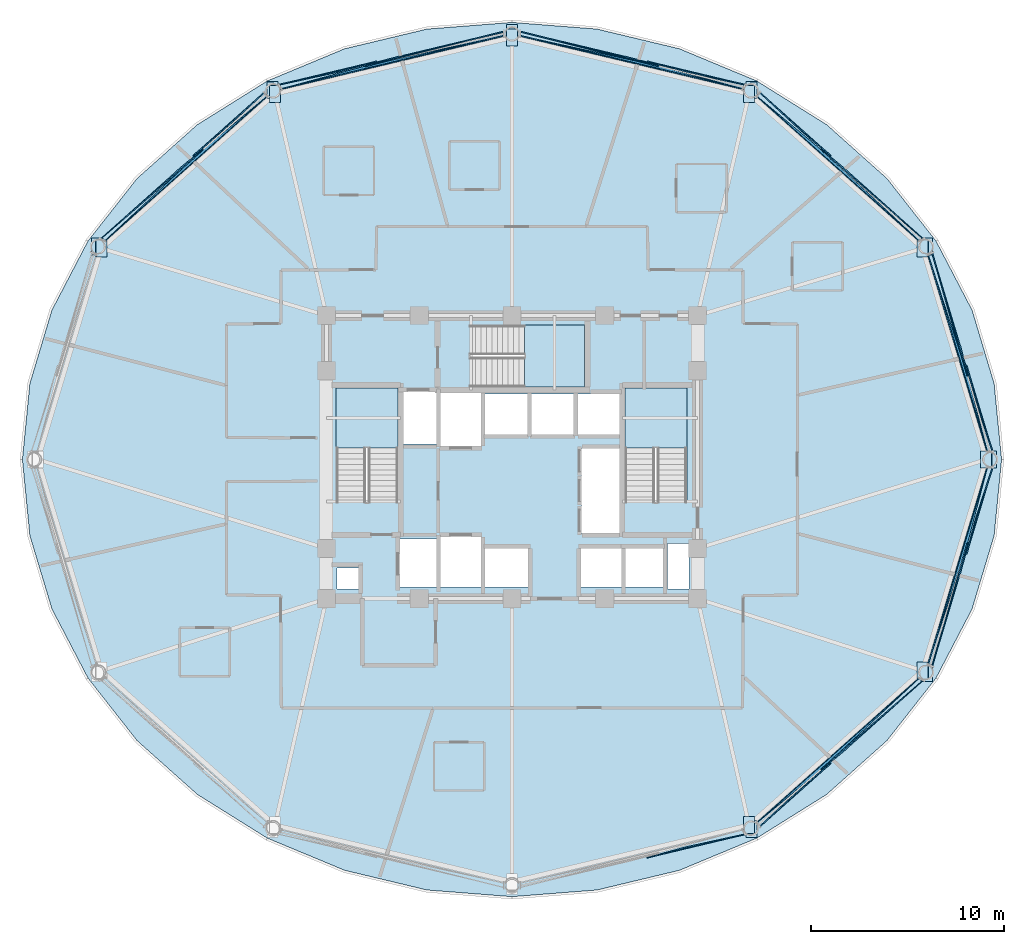
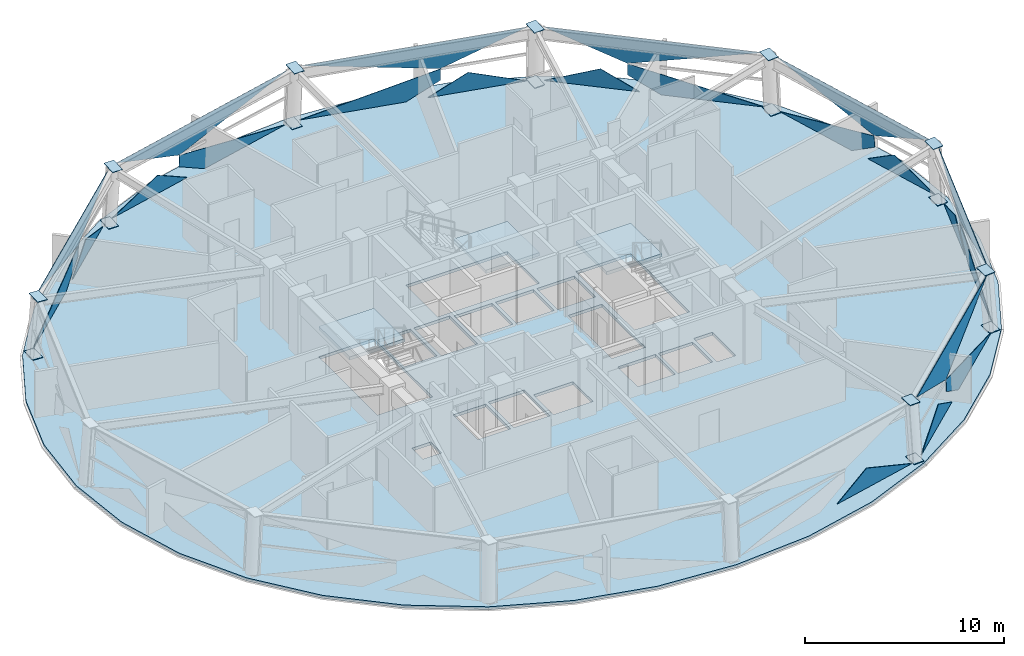
# One storey, part 4 of 12: 38 plates, 4 slabs, 11 elements without a shape of their own.
"""IFC4 building model written with IfcOpenShell, lengths in metres."""

from ifc_helpers import new_model, si_unit, direction, frame, origin, place, context, subcontext, project, spatial, polyline, outline, extrude, material, layer, layer_set, type_object, element, aggregate, save


model = new_model("IFC4")

# Units and contexts
model_context = context("Model", 3, precision=1e-05, world=origin(), true_north=direction((0.0, 1.0)))
body_context = subcontext(model_context, "Body", "Model", "MODEL_VIEW")
ifc_project = project(units=[si_unit("LENGTHUNIT", "METRE"), si_unit("AREAUNIT", "SQUARE_METRE"), si_unit("VOLUMEUNIT", "CUBIC_METRE"), si_unit("PLANEANGLEUNIT", "RADIAN"), si_unit("MASSUNIT", "GRAM", prefix="KILO")], contexts=[model_context])

# Site, building, storey
site_placement = place(None, origin())
site = spatial("IfcSite", under=ifc_project, at=site_placement, CompositionType="ELEMENT")
building_placement = place(site_placement, origin())
building = spatial("IfcBuilding", under=site, at=building_placement, Name="Vantalir Tower", CompositionType="ELEMENT")
storey_placement = place(building_placement, frame((0.0, 0.0, 160.949951171875)))
storey = spatial("IfcBuildingStorey", under=building, at=storey_placement, Name="L40", CompositionType="ELEMENT", Elevation=160.949951171875)

# Curtain wall, plates
ifc_material_1 = material(Name="Champagne-silver PVDF aluminium and double-silver Low-E glass", Category="aluminium")
ifc_layer_1 = layer(ifc_material_1, 0.199951171875)
ifc_layer_set_1 = layer_set([ifc_layer_1], Name="Champagne-silver PVDF aluminium and double-silver Low-E glass")
curtain_wall_type = type_object("IfcCurtainWallType", Name="CW-DIAMOND-Z2", PredefinedType="USERDEFINED", material=ifc_layer_set_1)
curtain_wall_1_placement = place(storey_placement, origin())
curtain_wall_1 = element("IfcCurtainWall", 1, at=curtain_wall_1_placement, inside=storey, type_object=curtain_wall_type, Name="L40 Quilted Pyramid-Diamond Curtain Wall S01", ObjectType="UNITISED CURTAIN WALL", PredefinedType="USERDEFINED")
ifc_material_2 = material(Name="Double-silver Low-E laminated glass IGU", Category="glass")
ifc_layer_2 = layer(ifc_material_2, 0.028076171875)
ifc_layer_set_2 = layer_set([ifc_layer_2], Name="Double-silver Low-E laminated glass IGU")
plate_type_1 = type_object("IfcPlateType", Name="CWP-IGU-28", PredefinedType="CURTAIN_PANEL", material=ifc_layer_set_2)
plate_1_placement = place(storey_placement, frame((54.694580078125, 30.914794921875, 0.046630859375), z_axis=(0.956242132533, 0.287523668542, 0.054139855892), x_axis=(-0.287945951236, 0.957646661962, -5.71672e-07)))
plate_1 = element("IfcPlate", 2, at=plate_1_placement, type_object=plate_type_1, Name="CW-L40-S01 Pyramid Diamond Facet 1L", PredefinedType="CURTAIN_PANEL", context=body_context, shape_type="SweptSolid", body=[
    extrude(outline(polyline([(0.0, 0.0), (4.989887704492444, 0.0), (-1.6348185664423167, 1.7288530254933752), (-1.6347488315783942, 1.0136899598512814), (0.0, 0.0)])), origin(), (0.0, 0.0, -1.0), 0.028076171875),
])
plate_2_placement = place(storey_placement, frame((56.37255859375, 25.44482421875, 0.048583984375), z_axis=(0.956245282623, 0.287501558669, 0.054201597984), x_axis=(-0.287922069807, 0.95765384088, -5.2598113e-05)))
plate_2 = element("IfcPlate", 3, at=plate_2_placement, type_object=plate_type_1, Name="CW-L40-S01 Pyramid Diamond Facet 1L Infill Light", PredefinedType="CURTAIN_PANEL", context=body_context, shape_type="SweptSolid", body=[
    extrude(outline(polyline([(0.0, 0.0), (4.64162327725022, -8.375461782450522e-18), (2.7590125779896444, 1.167144010169047), (0.0, 0.0)])), origin(), (0.0, 0.0, -1.0), 0.028076171875),
])
plate_3_placement = place(storey_placement, frame((53.044189453125, 35.58349609375, 3.5234375), z_axis=(0.954477973332, 0.286972931062, 0.081353151522), x_axis=(0.287929113413, -0.957651724333, -2.3039859e-05)))
plate_3 = element("IfcPlate", 4, at=plate_3_placement, type_object=plate_type_1, Name="CW-L40-S01 Pyramid Diamond Facet 2U", PredefinedType="CURTAIN_PANEL", context=body_context, shape_type="SweptSolid", body=[
    extrude(outline(polyline([(0.0, 0.0), (10.596446307439443, 2.734899980094685e-17), (6.581019772815921, 1.7319074202611071), (0.0, 0.0)])), origin(), (0.0, 0.0, -1.0), 0.028076171875),
])
aggregate(curtain_wall_1, [plate_1, plate_2, plate_3])

curtain_wall_2_placement = place(storey_placement, origin())
curtain_wall_2 = element("IfcCurtainWall", 5, at=curtain_wall_2_placement, inside=storey, type_object=curtain_wall_type, Name="L40 Quilted Pyramid-Diamond Curtain Wall S02", ObjectType="UNITISED CURTAIN WALL", PredefinedType="USERDEFINED")
plate_4_placement = place(storey_placement, frame((52.787353515625, 36.431640625, 0.04638671875), z_axis=(0.664580296637, 0.74547690879, 0.050962807846), x_axis=(-0.746448454606, 0.665443237593, 4.6458394e-05)))
plate_4 = element("IfcPlate", 6, at=plate_4_placement, type_object=plate_type_1, Name="CW-L40-S02 Pyramid Diamond Facet 1L", PredefinedType="CURTAIN_PANEL", context=body_context, shape_type="SweptSolid", body=[
    extrude(outline(polyline([(0.0, 0.0), (5.309604197503563, -2.710505431213761e-19), (7.026203307840046, 1.006841288037141), (7.026102465860399, 1.7287291500528068), (0.0, 0.0)])), origin(), (0.0, 0.0, -1.0), 0.028076171875),
])
plate_5_placement = place(storey_placement, frame((48.005126953125, 40.73779296875, 0.04833984375), z_axis=(0.664543555708, 0.745508986676, 0.050972672604), x_axis=(-0.746479373742, 0.665408554632, 0.0)))
plate_5 = element("IfcPlate", 7, at=plate_5_placement, type_object=plate_type_1, Name="CW-L40-S02 Pyramid Diamond Facet 1L Infill Light", PredefinedType="CURTAIN_PANEL", context=body_context, shape_type="SweptSolid", body=[
    extrude(outline(polyline([(0.0, 0.0), (4.899627279440352, 0.0), (1.9900703835811406, 1.1675333618773431), (0.0, 0.0)])), origin(), (0.0, 0.0, -1.0), 0.028076171875),
])
plate_6_placement = place(storey_placement, frame((44.20263671875, 43.782470703125, 3.5234375), z_axis=(0.663312917412, 0.744235357562, 0.078292439922), x_axis=(0.746525731838, -0.665356544441, 2.1772851e-05)))
plate_6 = element("IfcPlate", 8, at=plate_6_placement, type_object=plate_type_1, Name="CW-L40-S02 Pyramid Diamond Facet 2U", PredefinedType="CURTAIN_PANEL", context=body_context, shape_type="SweptSolid", body=[
    extrude(outline(polyline([(0.0, 0.0), (11.213075788783401, 5.637851296924623e-18), (4.273485592837315, 1.7319719454314284), (0.0, 0.0)])), origin(), (0.0, 0.0, -1.0), 0.028076171875),
])
aggregate(curtain_wall_2, [plate_4, plate_5, plate_6])

curtain_wall_3_placement = place(storey_placement, origin())
curtain_wall_3 = element("IfcCurtainWall", 9, at=curtain_wall_3_placement, inside=storey, type_object=curtain_wall_type, Name="L40 Quilted Pyramid-Diamond Curtain Wall S03", ObjectType="UNITISED CURTAIN WALL", PredefinedType="USERDEFINED")
plate_7_placement = place(storey_placement, frame((37.36767578125, 45.857666015625, 0.04638671875), z_axis=(0.232004258496, 0.97152336238, 0.048128789621), x_axis=(-0.972650523298, 0.232273458508, -5.81103e-07)))
plate_7 = element("IfcPlate", 10, at=plate_7_placement, type_object=plate_type_1, Name="CW-L40-S03 Pyramid Diamond Facet 1L", PredefinedType="CURTAIN_PANEL", context=body_context, shape_type="SweptSolid", body=[
    extrude(outline(polyline([(0.0, 0.0), (5.577860149667009, 0.0), (-1.8010086539788814, 1.7290534684776901), (-1.8010189132885481, 1.0106884445891582), (0.0, 0.0)])), origin(), (0.0, 0.0, -1.0), 0.028076171875),
])
plate_8_placement = place(storey_placement, frame((43.552001953125, 44.41357421875, 0.048095703125), z_axis=(0.232029782041, 0.971515985067, 0.048154657143), x_axis=(-0.972644357985, 0.232299274387, 0.0)))
plate_8 = element("IfcPlate", 11, at=plate_8_placement, type_object=plate_type_1, Name="CW-L40-S03 Pyramid Diamond Facet 1L Infill Light", PredefinedType="CURTAIN_PANEL", context=body_context, shape_type="SweptSolid", body=[
    extrude(outline(polyline([(0.0, 0.0), (5.186559396517485, 6.938893903907228e-18), (3.0924459019069728, 1.1751914745341983), (0.0, 0.0)])), origin(), (0.0, 0.0, -1.0), 0.028076171875),
])
plate_9_placement = place(storey_placement, frame((31.942626953125, 46.932373046875, 3.523681640625), z_axis=(0.231652517859, 0.969884783821, 0.075237072523), x_axis=(0.972641928781, -0.232309444384, -2.0688347e-05)))
plate_9 = element("IfcPlate", 12, at=plate_9_placement, type_object=plate_type_1, Name="CW-L40-S03 Pyramid Diamond Facet 2U", PredefinedType="CURTAIN_PANEL", context=body_context, shape_type="SweptSolid", body=[
    extrude(outline(polyline([(0.0, 0.0), (11.800876565274915, 3.201106914263452e-17), (7.327206380902446, 1.7318077001125904), (0.0, 0.0)])), origin(), (0.0, 0.0, -1.0), 0.028076171875),
])
aggregate(curtain_wall_3, [plate_7, plate_8, plate_9])

curtain_wall_4_placement = place(storey_placement, origin())
curtain_wall_4 = element("IfcCurtainWall", 13, at=curtain_wall_4_placement, inside=storey, type_object=curtain_wall_type, Name="L40 Quilted Pyramid-Diamond Curtain Wall S04", ObjectType="UNITISED CURTAIN WALL", PredefinedType="USERDEFINED")
plate_10_placement = place(storey_placement, frame((31.0576171875, 47.1533203125, 0.04638671875), z_axis=(-0.232009383018, 0.971520804743, 0.048155707264), x_axis=(-0.972649229056, -0.232278878113, 3.12794e-07)))
plate_10 = element("IfcPlate", 14, at=plate_10_placement, type_object=plate_type_1, Name="CW-L40-S04 Pyramid Diamond Facet 1L", PredefinedType="CURTAIN_PANEL", context=body_context, shape_type="SweptSolid", body=[
    extrude(outline(polyline([(0.0, 0.0), (5.57786014995591, 0.0), (7.378641599750608, 1.010447315360434), (7.378631341018743, 1.729056198186076), (0.0, 0.0)])), origin(), (0.0, 0.0, -1.0), 0.028076171875),
])
plate_11_placement = place(storey_placement, frame((24.49267578125, 45.6181640625, 0.048095703125), z_axis=(-0.232029358682, 0.971523007905, 0.048014808357), x_axis=(-0.972644833159, -0.232297284806, 0.0)))
plate_11 = element("IfcPlate", 15, at=plate_11_placement, type_object=plate_type_1, Name="CW-L40-S04 Pyramid Diamond Facet 1L Infill Light", PredefinedType="CURTAIN_PANEL", context=body_context, shape_type="SweptSolid", body=[
    extrude(outline(polyline([(0.0, 0.0), (5.185552834832454, 0.0), (2.0938192035254835, 1.1749391310276849), (0.0, 0.0)])), origin(), (0.0, 0.0, -1.0), 0.028076171875),
])
plate_12_placement = place(storey_placement, frame((19.579345703125, 44.19091796875, 3.5234375), z_axis=(-0.231653087871, 0.96988717327, 0.075204507879), x_axis=(0.972641928781, 0.232309444384, 2.0688347e-05)))
plate_12 = element("IfcPlate", 16, at=plate_12_placement, type_object=plate_type_1, Name="CW-L40-S04 Pyramid Diamond Facet 2U", PredefinedType="CURTAIN_PANEL", context=body_context, shape_type="SweptSolid", body=[
    extrude(outline(polyline([(0.0, 0.0), (11.800876565274915, -2.4421653935235987e-17), (4.473907645780863, 1.7318034387760073), (0.0, 0.0)])), origin(), (0.0, 0.0, -1.0), 0.028076171875),
])
aggregate(curtain_wall_4, [plate_10, plate_11, plate_12])

curtain_wall_5_placement = place(storey_placement, origin())
curtain_wall_5 = element("IfcCurtainWall", 17, at=curtain_wall_5_placement, inside=storey, type_object=curtain_wall_type, Name="L40 Quilted Pyramid-Diamond Curtain Wall S05", ObjectType="UNITISED CURTAIN WALL", PredefinedType="USERDEFINED")
plate_13_placement = place(storey_placement, frame((14.17626953125, 39.96484375, 0.046630859375), z_axis=(-0.664561105733, 0.745495841192, 0.050936112054), x_axis=(-0.746466399044, -0.665423108198, -4.6641693e-05)))
plate_13 = element("IfcPlate", 18, at=plate_13_placement, type_object=plate_type_1, Name="CW-L40-S05 Pyramid Diamond Facet 1L", PredefinedType="CURTAIN_PANEL", context=body_context, shape_type="SweptSolid", body=[
    extrude(outline(polyline([(0.0, 0.0), (5.309786439685317, 3.4206578541917665e-17), (-1.716500959971891, 1.7287264774769575), (-1.7166006763790465, 1.0068386168928476), (0.0, 0.0)])), origin(), (0.0, 0.0, -1.0), 0.028076171875),
])
plate_14_placement = place(storey_placement, frame((18.6533203125, 43.998046875, 0.04833984375), z_axis=(-0.664500727172, 0.74555439131, 0.050866818132), x_axis=(-0.746520803197, -0.665362074659, 0.0)))
plate_14 = element("IfcPlate", 19, at=plate_14_placement, type_object=plate_type_1, Name="CW-L40-S05 Pyramid Diamond Facet 1L Infill Light", PredefinedType="CURTAIN_PANEL", context=body_context, shape_type="SweptSolid", body=[
    extrude(outline(polyline([(0.0, 0.0), (4.900336480022108, 1.3877787807814457e-17), (2.9102623948335458, 1.1675270524336088), (0.0, 0.0)])), origin(), (0.0, 0.0, -1.0), 0.028076171875),
])
plate_15_placement = place(storey_placement, frame((10.426513671875, 36.32177734375, 3.523681640625), z_axis=(-0.663322650399, 0.74424627181, 0.078106007232), x_axis=(0.746525731838, 0.665356544441, -2.1772851e-05)))
plate_15 = element("IfcPlate", 20, at=plate_15_placement, type_object=plate_type_1, Name="CW-L40-S05 Pyramid Diamond Facet 2U", PredefinedType="CURTAIN_PANEL", context=body_context, shape_type="SweptSolid", body=[
    extrude(outline(polyline([(0.0, 0.0), (11.213075788783401, -6.304635633003208e-17), (6.939954710463586, 1.731946532067231), (0.0, 0.0)])), origin(), (0.0, 0.0, -1.0), 0.028076171875),
])
aggregate(curtain_wall_5, [plate_13, plate_14, plate_15])

# Curtain wall, plate
curtain_wall_6_placement = place(storey_placement, origin())
curtain_wall_6 = element("IfcCurtainWall", 21, at=curtain_wall_6_placement, inside=storey, type_object=curtain_wall_type, Name="L40 Quilted Pyramid-Diamond Curtain Wall S10", ObjectType="UNITISED CURTAIN WALL", PredefinedType="USERDEFINED")
plate_16_placement = place(storey_placement, frame((38.50732421875, 4.381591796875, 0.048095703125), z_axis=(0.232029782041, -0.971515985067, 0.048154657143), x_axis=(0.972644357985, 0.232299274387, 0.0)))
plate_16 = element("IfcPlate", 22, at=plate_16_placement, type_object=plate_type_1, Name="CW-L40-S10 Pyramid Diamond Facet 1L Infill Light", PredefinedType="CURTAIN_PANEL", context=body_context, shape_type="SweptSolid", body=[
    extrude(outline(polyline([(0.0, 0.0), (5.186559396517485, -6.938893903907228e-18), (2.0941134946105127, 1.1751914745341983), (0.0, 0.0)])), origin(), (0.0, 0.0, -1.0), 0.028076171875),
])
aggregate(curtain_wall_6, [plate_16])

# Curtain wall, plates
curtain_wall_7_placement = place(storey_placement, origin())
curtain_wall_7 = element("IfcCurtainWall", 23, at=curtain_wall_7_placement, inside=storey, type_object=curtain_wall_type, Name="L40 Quilted Pyramid-Diamond Curtain Wall S11", ObjectType="UNITISED CURTAIN WALL", PredefinedType="USERDEFINED")
plate_17_placement = place(storey_placement, frame((48.823974609375, 10.03466796875, 0.046630859375), z_axis=(0.6645438725, -0.745505312866, 0.051022250165), x_axis=(0.746479205, 0.665408742229, -4.7608094e-05)))
plate_17 = element("IfcPlate", 24, at=plate_17_placement, type_object=plate_type_1, Name="CW-L40-S11 Pyramid Diamond Facet 1L", PredefinedType="CURTAIN_PANEL", context=body_context, shape_type="SweptSolid", body=[
    extrude(outline(polyline([(0.0, 0.0), (5.309279287511083, -4.228388472693467e-18), (-1.7163418694403154, 1.728732435215887), (-1.7162579342514932, 1.0068362911009177), (0.0, 0.0)])), origin(), (0.0, 0.0, -1.0), 0.028076171875),
])
plate_18_placement = place(storey_placement, frame((44.347900390625, 6.001953125, 0.04833984375), z_axis=(0.664540415614, -0.745511527439, 0.050976450158), x_axis=(0.746482061929, 0.665405538914, 0.0)))
plate_18 = element("IfcPlate", 25, at=plate_18_placement, type_object=plate_type_1, Name="CW-L40-S11 Pyramid Diamond Facet 1L Infill Light", PredefinedType="CURTAIN_PANEL", context=body_context, shape_type="SweptSolid", body=[
    extrude(outline(polyline([(0.0, 0.0), (4.89928258027907, 0.0), (2.9092119562896093, 1.167289128825996), (0.0, 0.0)])), origin(), (0.0, 0.0, -1.0), 0.028076171875),
])
plate_19_placement = place(storey_placement, frame((52.573486328125, 13.67822265625, 3.523681640625), z_axis=(0.663307447188, -0.744229223428, 0.078397024821), x_axis=(-0.746525731838, -0.665356544441, -2.1772851e-05)))
plate_19 = element("IfcPlate", 26, at=plate_19_placement, type_object=plate_type_1, Name="CW-L40-S11 Pyramid Diamond Facet 2U", PredefinedType="CURTAIN_PANEL", context=body_context, shape_type="SweptSolid", body=[
    extrude(outline(polyline([(0.0, 0.0), (11.213075788783401, -4.065758146820642e-18), (6.939752636508694, 1.731986220801711), (0.0, 0.0)])), origin(), (0.0, 0.0, -1.0), 0.028076171875),
])
aggregate(curtain_wall_7, [plate_17, plate_18, plate_19])

curtain_wall_8_placement = place(storey_placement, origin())
curtain_wall_8 = element("IfcCurtainWall", 27, at=curtain_wall_8_placement, inside=storey, type_object=curtain_wall_type, Name="L40 Quilted Pyramid-Diamond Curtain Wall S12", ObjectType="UNITISED CURTAIN WALL", PredefinedType="USERDEFINED")
plate_20_placement = place(storey_placement, frame((53.2578125, 14.3056640625, 0.046630859375), z_axis=(0.956253489928, -0.28748536372, 0.054142669372), x_axis=(0.287907667367, 0.957658172351, -6.8321e-08)))
plate_20 = element("IfcPlate", 28, at=plate_20_placement, type_object=plate_type_1, Name="CW-L40-S12 Pyramid Diamond Facet 1L", PredefinedType="CURTAIN_PANEL", context=body_context, shape_type="SweptSolid", body=[
    extrude(outline(polyline([(0.0, 0.0), (4.990355309138688, 0.0), (6.625573289982169, 1.013938859984866), (6.625410314529074, 1.7288543374415144), (0.0, 0.0)])), origin(), (0.0, 0.0, -1.0), 0.028076171875),
])
plate_21_placement = place(storey_placement, frame((55.0361328125, 20.109619140625, 0.04833984375), z_axis=(0.956253988409, -0.287472597845, 0.054201615662), x_axis=(0.287893066875, 0.957662560237, 5.2592815e-05)))
plate_21 = element("IfcPlate", 29, at=plate_21_placement, type_object=plate_type_1, Name="CW-L40-S12 Pyramid Diamond Facet 1L Infill Light", PredefinedType="CURTAIN_PANEL", context=body_context, shape_type="SweptSolid", body=[
    extrude(outline(polyline([(0.0, 0.0), (4.6420908837935695, 9.2970336290632e-18), (1.8828464252767096, 1.167388508901368), (0.0, 0.0)])), origin(), (0.0, 0.0, -1.0), 0.028076171875),
])
plate_22_placement = place(storey_placement, frame((56.09521484375, 24.564208984375, 3.523193359375), z_axis=(0.954474821176, -0.286971982359, 0.081393470752), x_axis=(-0.287929113413, -0.957651724333, 2.3039859e-05)))
plate_22 = element("IfcPlate", 30, at=plate_22_placement, type_object=plate_type_1, Name="CW-L40-S12 Pyramid Diamond Facet 2U", PredefinedType="CURTAIN_PANEL", context=body_context, shape_type="SweptSolid", body=[
    extrude(outline(polyline([(0.0, 0.0), (10.596446307439443, -1.870248747537495e-17), (4.015660336314034, 1.7319131457826749), (0.0, 0.0)])), origin(), (0.0, 0.0, -1.0), 0.028076171875),
])
aggregate(curtain_wall_8, [plate_20, plate_21, plate_22])

# Plates
ifc_material_3 = material(Name="Steel S460", Category="steel")
ifc_layer_3 = layer(ifc_material_3, 0.035888671875)
ifc_layer_set_3 = layer_set([ifc_layer_3], Name="Steel S460")
plate_type_2 = type_object("IfcPlateType", Name="PLT-KN-Z2", PredefinedType="USERDEFINED", material=ifc_layer_set_3)
for number, where, z_axis, x_axis, name in (
    (31, (55.744873046875, 25.43994140625, 3.577880859375), (-0.06903323004, 0.0, 0.997614360938), (0.0, -1.0, 0.0), "L40 Ring Column Top Cap RC01"),
    (32, (55.989990234375, 25.43994140625, 0.032958984375), (-0.06903323004, 0.0, 0.997614360938), (0.0, -1.0, 0.0), "L40 Ring Column Base Cap RC01"),
):
    element("IfcPlate", number, at=place(storey_placement, frame(where, z_axis=z_axis, x_axis=x_axis)), inside=storey, type_object=plate_type_2, Name=name, ObjectType="FLANGE_PLATE", PredefinedType="USERDEFINED", context=body_context, shape_type="SweptSolid", body=[
        extrude(outline(polyline([(0.0, 0.0), (0.8798828125, 0.0), (0.8798828125, 0.5799969446167544), (0.0, 0.5799969446167544), (0.0, 0.0)])), origin(), (0.0, 0.0, -1.0), 0.035888671875),
    ])
plate_23_placement = place(storey_placement, frame((52.457763671875, 36.363525390625, 3.59423828125), z_axis=(-0.059787975912, -0.030742227153, 0.99773759747), x_axis=(2.54946e-07, -0.999525650491, -0.030797305251)))
element("IfcPlate", 33, at=plate_23_placement, inside=storey, type_object=plate_type_2, Name="L40 Ring Column Top Cap RC02", ObjectType="FLANGE_PLATE", PredefinedType="USERDEFINED", context=body_context, shape_type="SweptSolid", body=[
    extrude(outline(polyline([(0.0, 0.0), (0.8800560106448956, 2.168404344971009e-19), (0.8799645775367858, 0.5801391497282463), (0.00015259170890463258, 0.5801395992043633), (0.0, 0.0)])), origin(), (0.0, 0.0, -1.0), 0.035888671875),
])
plate_24_placement = place(storey_placement, frame((52.67041015625, 36.47265625, 0.049072265625), z_axis=(-0.059806642976, -0.030737930566, 0.997736611076), x_axis=(0.0, -0.999525781572, -0.030793050723)))
element("IfcPlate", 34, at=plate_24_placement, inside=storey, type_object=plate_type_2, Name="L40 Ring Column Base Cap RC02", ObjectType="FLANGE_PLATE", PredefinedType="USERDEFINED", context=body_context, shape_type="SweptSolid", body=[
    extrude(outline(polyline([(0.0, 0.0), (0.8800560106528968, -2.168404344971009e-19), (0.8799645775287857, 0.5798954459480804), (-9.143312411113568e-05, 0.5798954459480804), (0.0, 0.0)])), origin(), (0.0, 0.0, -1.0), 0.035888671875),
])
plate_25_placement = place(storey_placement, frame((43.477294921875, 44.359375, 3.611572265625), z_axis=(-0.03457212517, -0.053509641688, 0.997968680074), x_axis=(-2.56639e-07, -0.99856561673, -0.053541657461)))
element("IfcPlate", 35, at=plate_25_placement, inside=storey, type_object=plate_type_2, Name="L40 Ring Column Top Cap RC03", ObjectType="FLANGE_PLATE", PredefinedType="USERDEFINED", context=body_context, shape_type="SweptSolid", body=[
    extrude(outline(polyline([(0.0, 0.0), (0.879924608032925, 2.168404344971009e-19), (0.880071532571691, 0.5799367526689891), (-9.686589500613487e-05, 0.5799363006902291), (0.0, 0.0)])), origin(), (0.0, 0.0, -1.0), 0.035888671875),
])
plate_26_placement = place(storey_placement, frame((43.600341796875, 44.549072265625, 0.06640625), z_axis=(-0.034782054044, -0.053371022539, 0.997968808465), x_axis=(-5.072978e-06, -0.998573014293, -0.053403512063)))
element("IfcPlate", 36, at=plate_26_placement, inside=storey, type_object=plate_type_2, Name="L40 Ring Column Base Cap RC03", ObjectType="FLANGE_PLATE", PredefinedType="USERDEFINED", context=body_context, shape_type="SweptSolid", body=[
    extrude(outline(polyline([(0.0, 0.0), (0.8799245986981381, -2.168404344971009e-19), (0.8800584684055359, 0.5799452207756732), (-9.68845656076487e-05, 0.579936286523643), (0.0, 0.0)])), origin(), (0.0, 0.0, -1.0), 0.035888671875),
])
plate_27_placement = place(storey_placement, frame((31.2099609375, 47.285400390625, 3.625244140625), z_axis=(0.0, -0.061877308654, 0.998083763355), x_axis=(0.0, -0.998083763355, -0.061877308654)))
element("IfcPlate", 37, at=plate_27_placement, inside=storey, type_object=plate_type_2, Name="L40 Ring Column Top Cap RC04", ObjectType="FLANGE_PLATE", PredefinedType="USERDEFINED", context=body_context, shape_type="SweptSolid", body=[
    extrude(outline(polyline([(0.0, 0.0), (0.879859847807452, 0.0), (0.879859847807452, 0.580078125), (0.0, 0.580078125), (0.0, 0.0)])), origin(), (0.0, 0.0, -1.0), 0.035888671875),
])
plate_28_placement = place(storey_placement, frame((31.2099609375, 47.5048828125, 0.080078125), z_axis=(0.0, -0.0615838313, 0.998101914497), x_axis=(0.0, -0.998101914497, -0.0615838313)))
element("IfcPlate", 38, at=plate_28_placement, inside=storey, type_object=plate_type_2, Name="L40 Ring Column Base Cap RC04", ObjectType="FLANGE_PLATE", PredefinedType="USERDEFINED", context=body_context, shape_type="SweptSolid", body=[
    extrude(outline(polyline([(0.0, 0.0), (0.8800884518819607, 0.0), (0.8800884518819607, 0.580078125), (0.0, 0.580078125), (0.0, 0.0)])), origin(), (0.0, 0.0, -1.0), 0.035888671875),
])
plate_29_placement = place(storey_placement, frame((18.943115234375, 44.3583984375, 3.63134765625), z_axis=(0.034362179045, -0.053371798204, 0.997983312389), x_axis=(-5.010497e-06, -0.998573032922, -0.053403163732)))
element("IfcPlate", 39, at=plate_29_placement, inside=storey, type_object=plate_type_2, Name="L40 Ring Column Top Cap RC05", ObjectType="FLANGE_PLATE", PredefinedType="USERDEFINED", context=body_context, shape_type="SweptSolid", body=[
    extrude(outline(polyline([(0.0, 0.0), (0.8801553530162163, 0.0), (0.880002594066117, 0.5799367369976483), (7.799541249587857e-05, 0.5799279129103811), (0.0, 0.0)])), origin(), (0.0, 0.0, -1.0), 0.035888671875),
])
plate_30_placement = place(storey_placement, frame((18.821044921875, 44.548095703125, 0.08642578125), z_axis=(0.034362179045, -0.053371798204, 0.997983312389), x_axis=(4.501717e-06, -0.998573015458, -0.053403490319)))
element("IfcPlate", 40, at=plate_30_placement, inside=storey, type_object=plate_type_2, Name="L40 Ring Column Base Cap RC05", ObjectType="FLANGE_PLATE", PredefinedType="USERDEFINED", context=body_context, shape_type="SweptSolid", body=[
    extrude(outline(polyline([(0.0, 0.0), (0.8801683909378536, 2.168404344971009e-19), (0.8800081137687743, 0.5799283612513692), (9.655303252646002e-05, 0.5799362893157116), (0.0, 0.0)])), origin(), (0.0, 0.0, -1.0), 0.035888671875),
])
plate_31_placement = place(storey_placement, frame((9.963134765625, 36.3623046875, 3.62890625), z_axis=(0.059787975912, -0.030742227153, 0.99773759747), x_axis=(2.55017e-07, -0.99952564955, -0.030797335781)))
element("IfcPlate", 41, at=plate_31_placement, inside=storey, type_object=plate_type_2, Name="L40 Ring Column Top Cap RC06", ObjectType="FLANGE_PLATE", PredefinedType="USERDEFINED", context=body_context, shape_type="SweptSolid", body=[
    extrude(outline(polyline([(0.0, 0.0), (0.879811985827996, 0.0), (0.8799037153161239, 0.5801391496814595), (-0.00015229532865687775, 0.5801395992822432), (0.0, 0.0)])), origin(), (0.0, 0.0, -1.0), 0.035888671875),
])
plate_32_placement = place(storey_placement, frame((9.750732421875, 36.4716796875, 0.083740234375), z_axis=(0.059806642976, -0.030737930566, 0.997736611076), x_axis=(0.0, -0.999525781572, -0.030793050723)))
element("IfcPlate", 42, at=plate_32_placement, inside=storey, type_object=plate_type_2, Name="L40 Ring Column Base Cap RC06", ObjectType="FLANGE_PLATE", PredefinedType="USERDEFINED", context=body_context, shape_type="SweptSolid", body=[
    extrude(outline(polyline([(0.0, 0.0), (0.8800560106528968, 2.168404344971009e-19), (0.8801474437770079, 0.5798954459480804), (9.143312411113568e-05, 0.5798954459480804), (0.0, 0.0)])), origin(), (0.0, 0.0, -1.0), 0.035888671875),
])
plate_33_placement = place(storey_placement, frame((43.477294921875, 6.519287109375, 3.564453125), z_axis=(-0.03457212517, 0.053509641688, 0.997968680074), x_axis=(2.56639e-07, -0.99856561673, 0.053541657461)))
element("IfcPlate", 43, at=plate_33_placement, inside=storey, type_object=plate_type_2, Name="L40 Ring Column Top Cap RC11", ObjectType="FLANGE_PLATE", PredefinedType="USERDEFINED", context=body_context, shape_type="SweptSolid", body=[
    extrude(outline(polyline([(0.0, 0.0), (0.879924608032925, -2.168404344971009e-19), (0.8800214739279311, 0.5799363006902291), (-0.00014692453876594797, 0.5799367526689891), (0.0, 0.0)])), origin(), (0.0, 0.0, -1.0), 0.035888671875),
])
plate_34_placement = place(storey_placement, frame((43.600341796875, 6.32958984375, 0.019287109375), z_axis=(-0.034782054044, 0.053371022539, 0.997968808465), x_axis=(5.072978e-06, -0.998573014293, 0.053403512063)))
element("IfcPlate", 44, at=plate_34_placement, inside=storey, type_object=plate_type_2, Name="L40 Ring Column Base Cap RC11", ObjectType="FLANGE_PLATE", PredefinedType="USERDEFINED", context=body_context, shape_type="SweptSolid", body=[
    extrude(outline(polyline([(0.0, 0.0), (0.8799245986981381, 2.168404344971009e-19), (0.8800214832637457, 0.5799362865236429), (-0.00013386970739765304, 0.5799452207756732), (0.0, 0.0)])), origin(), (0.0, 0.0, -1.0), 0.035888671875),
])
plate_35_placement = place(storey_placement, frame((52.457763671875, 14.51611328125, 3.56689453125), z_axis=(-0.059787988116, 0.031018917888, 0.997729032959), x_axis=(-2.57239e-07, -0.999517071372, 0.031074491731)))
element("IfcPlate", 45, at=plate_35_placement, inside=storey, type_object=plate_type_2, Name="L40 Ring Column Top Cap RC12", ObjectType="FLANGE_PLATE", PredefinedType="USERDEFINED", context=body_context, shape_type="SweptSolid", body=[
    extrude(outline(polyline([(0.0, 0.0), (0.8800635623111203, -2.168404344971009e-19), (0.8799205892394333, 0.5801396016543562), (0.0001010496508159547, 0.580139148132704), (0.0, 0.0)])), origin(), (0.0, 0.0, -1.0), 0.035888671875),
])
plate_36_placement = place(storey_placement, frame((52.67041015625, 14.406005859375, 0.02197265625), z_axis=(-0.059806597122, 0.031014582812, 0.997728052424), x_axis=(0.0, -0.999517204822, 0.031070198984)))
element("IfcPlate", 46, at=plate_36_placement, inside=storey, type_object=plate_type_2, Name="L40 Ring Column Base Cap RC12", ObjectType="FLANGE_PLATE", PredefinedType="USERDEFINED", context=body_context, shape_type="SweptSolid", body=[
    extrude(outline(polyline([(0.0, 0.0), (0.880063562319266, -2.168404344971009e-19), (0.8801646119863723, 0.5798954443520866), (0.00010104966710645512, 0.5798954443520865), (0.0, 0.0)])), origin(), (0.0, 0.0, -1.0), 0.035888671875),
])

# Stair, slab
ifc_material_4 = material(Name="Concrete C40/50", Category="concrete")
stair_type = type_object("IfcStairType", Name="STR-CORE-1450", PredefinedType="HALF_TURN_STAIR", material=ifc_material_4)
stair_1_placement = place(storey_placement, origin())
stair_1 = element("IfcStair", 47, at=stair_1_placement, inside=storey, type_object=stair_type, Name="L40 Core Exit Stair 1", PredefinedType="HALF_TURN_STAIR")
ifc_layer_4 = layer(ifc_material_4, 0.199951171875)
ifc_layer_set_4 = layer_set([ifc_layer_4], Name="Concrete C40/50")
slab_type_1 = type_object("IfcSlabType", Name="SL-LAND-200", PredefinedType="LANDING", material=ifc_layer_set_4)
slab_1_placement = place(storey_placement, frame((0.0, 0.0, 1.675048828125)))
slab_1 = element("IfcSlab", 48, at=slab_1_placement, type_object=slab_type_1, Name="ST1 landing 1", PredefinedType="LANDING", context=body_context, shape_type="SweptSolid", body=[
    extrude(outline(polyline([(25.60009765625, 25.590087890625), (25.60009765625, 28.699951171875), (22.39990234375, 28.699951171875), (22.39990234375, 25.590087890625), (25.60009765625, 25.590087890625)])), origin(), (0.0, 0.0, 1.0), 0.199951171875),
])
aggregate(stair_1, [slab_1])

stair_2_placement = place(storey_placement, origin())
stair_2 = element("IfcStair", 49, at=stair_2_placement, inside=storey, type_object=stair_type, Name="L40 Core Exit Stair 2", PredefinedType="HALF_TURN_STAIR")
slab_2_placement = place(storey_placement, frame((0.0, 0.0, 1.675048828125)))
slab_2 = element("IfcSlab", 50, at=slab_2_placement, type_object=slab_type_1, Name="ST2 landing 1", PredefinedType="LANDING", context=body_context, shape_type="SweptSolid", body=[
    extrude(outline(polyline([(40.550048828125, 25.590087890625), (40.550048828125, 28.699951171875), (37.35009765625, 28.699951171875), (37.35009765625, 25.590087890625), (40.550048828125, 25.590087890625)])), origin(), (0.0, 0.0, 1.0), 0.199951171875),
])
aggregate(stair_2, [slab_2])

stair_3_placement = place(storey_placement, origin())
stair_3 = element("IfcStair", 51, at=stair_3_placement, inside=storey, type_object=stair_type, Name="L40 Core Exit Stair 3", PredefinedType="HALF_TURN_STAIR")
slab_3_placement = place(storey_placement, frame((0.0, 0.0, 1.675048828125)))
slab_3 = element("IfcSlab", 52, at=slab_3_placement, type_object=slab_type_1, Name="ST3 landing 1", PredefinedType="LANDING", context=body_context, shape_type="SweptSolid", body=[
    extrude(outline(polyline([(32.139892578125, 28.75), (35.25, 28.75), (35.25, 31.949951171875), (32.139892578125, 31.949951171875), (32.139892578125, 28.75)])), origin(), (0.0, 0.0, 1.0), 0.199951171875),
])
aggregate(stair_3, [slab_3])

# Slab
ifc_layer_5 = layer(ifc_material_4, 0.179931640625)
ifc_layer_set_5 = layer_set([ifc_layer_5], Name="Concrete C40/50")
slab_type_2 = type_object("IfcSlabType", Name="SL-TWR-180", PredefinedType="FLOOR", material=ifc_layer_set_5)
slab_4_placement = place(storey_placement, frame((0.0, 0.0, -0.179931640625)))
element("IfcSlab", 53, at=slab_4_placement, inside=storey, type_object=slab_type_2, Name="L40 Primary Structural Slab", PredefinedType="FLOOR", context=body_context, shape_type="SweptSolid", body=[
    extrude(outline(polyline([(9.56103515625, 13.68994140625), (12.093994140625, 10.4609375), (15.216064453125, 7.673095703125), (18.8330078125, 5.410888671875), (22.8359375, 3.7451171875), (27.10107421875, 2.72509765625), (31.5, 2.381103515625), (35.89892578125, 2.72509765625), (40.1640625, 3.7451171875), (44.1669921875, 5.410888671875), (47.783935546875, 7.673095703125), (50.906005859375, 10.4609375), (53.43896484375, 13.68994140625), (55.304931640625, 17.263916015625), (56.447998046875, 21.072021484375), (56.8330078125, 25.0), (56.447998046875, 28.927978515625), (55.304931640625, 32.736083984375), (53.43896484375, 36.30908203125), (50.906005859375, 39.5390625), (47.783935546875, 42.326904296875), (44.1669921875, 44.589111328125), (40.1640625, 46.2548828125), (35.89892578125, 47.27490234375), (31.5, 47.618896484375), (27.10107421875, 47.27490234375), (22.8359375, 46.2548828125), (18.833984375, 44.589111328125), (15.216064453125, 42.326904296875), (12.093994140625, 39.5390625), (9.56103515625, 36.30908203125), (7.695068359375, 32.736083984375), (6.552001953125, 28.927978515625), (6.1669921875, 25.0), (6.552001953125, 21.072021484375), (7.695068359375, 17.263916015625), (9.56103515625, 13.68994140625)]), holes=[polyline([(22.39990234375, 22.7900390625), (22.39990234375, 28.699951171875), (25.60009765625, 28.699951171875), (25.60009765625, 22.7900390625), (22.39990234375, 22.7900390625)]), polyline([(37.35009765625, 28.699951171875), (40.550048828125, 28.699951171875), (40.550048828125, 22.7900390625), (37.35009765625, 22.7900390625), (37.35009765625, 28.699951171875)]), polyline([(35.25, 28.75), (29.340087890625, 28.75), (29.340087890625, 31.949951171875), (35.25, 31.949951171875), (35.25, 28.75)]), polyline([(27.60009765625, 18.39990234375), (25.699951171875, 18.39990234375), (25.699951171875, 20.89990234375), (27.60009765625, 20.89990234375), (27.60009765625, 18.39990234375)]), polyline([(25.699951171875, 25.800048828125), (25.699951171875, 28.5), (27.60009765625, 28.5), (27.60009765625, 25.800048828125), (25.699951171875, 25.800048828125)]), polyline([(27.800048828125, 21.0), (29.89990234375, 21.0), (29.89990234375, 18.39990234375), (27.800048828125, 18.39990234375), (27.800048828125, 21.0)]), polyline([(29.89990234375, 28.5), (29.89990234375, 25.699951171875), (27.800048828125, 25.699951171875), (27.800048828125, 28.5), (29.89990234375, 28.5)]), polyline([(32.39990234375, 18.39990234375), (30.10009765625, 18.39990234375), (30.10009765625, 20.39990234375), (32.39990234375, 20.39990234375), (32.39990234375, 18.39990234375)]), polyline([(37.35009765625, 18.39990234375), (37.35009765625, 20.39990234375), (39.35009765625, 20.39990234375), (39.35009765625, 18.39990234375), (37.35009765625, 18.39990234375)]), polyline([(35.0, 20.39990234375), (37.199951171875, 20.39990234375), (37.199951171875, 18.39990234375), (35.0, 18.39990234375), (35.0, 20.39990234375)]), polyline([(32.300048828125, 28.39990234375), (32.300048828125, 26.300048828125), (30.10009765625, 26.300048828125), (30.10009765625, 28.39990234375), (32.300048828125, 28.39990234375)]), polyline([(34.699951171875, 26.300048828125), (32.5, 26.300048828125), (32.5, 28.39990234375), (34.699951171875, 28.39990234375), (34.699951171875, 26.300048828125)]), polyline([(34.89990234375, 26.300048828125), (34.89990234375, 28.39990234375), (37.10009765625, 28.39990234375), (37.10009765625, 26.300048828125), (34.89990234375, 26.300048828125)]), polyline([(35.10009765625, 25.56005859375), (37.06005859375, 25.56005859375), (37.06005859375, 21.199951171875), (35.10009765625, 21.199951171875), (35.10009765625, 25.56005859375)]), polyline([(23.550048828125, 19.39990234375), (23.550048828125, 18.300048828125), (22.449951171875, 18.300048828125), (22.449951171875, 19.39990234375), (23.550048828125, 19.39990234375)]), polyline([(40.64990234375, 18.300048828125), (39.550048828125, 18.300048828125), (39.550048828125, 20.64990234375), (40.64990234375, 20.64990234375), (40.64990234375, 18.300048828125)])]), origin(), (0.0, 0.0, 1.0), 0.179931640625),
])

save(model, "model.ifc")
